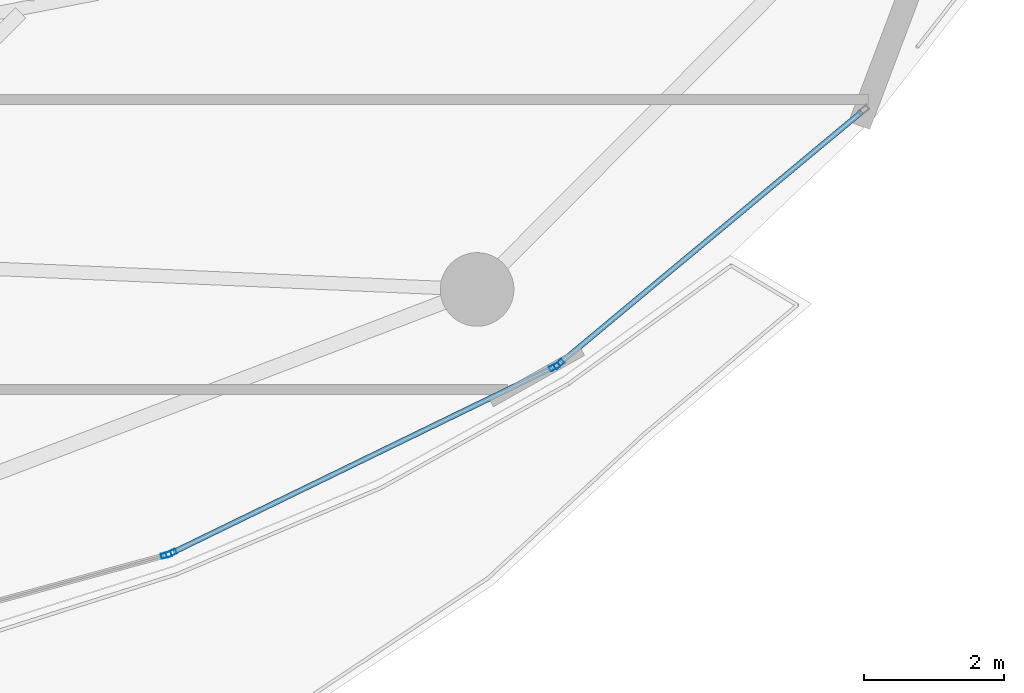
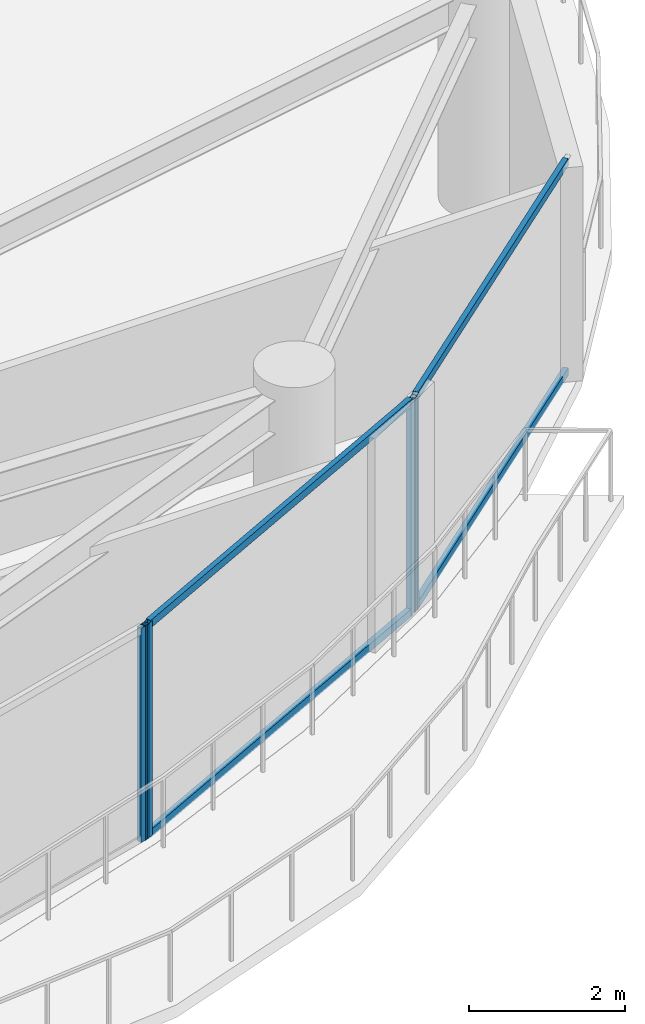
# One storey, part 12 of 28: 8 members, 3 elements without a shape of their own.
"""IFC4 building model written with IfcOpenShell, lengths in metres."""

from ifc_helpers import new_model, si_unit, direction, frame, origin, origin_2d, place, context, subcontext, project, spatial, hollow_rectangle, extrude, material, layer, layer_set, material_profile, profile_set, type_object, element, aggregate, save


model = new_model("IFC4")

# Units and contexts
model_context = context("Model", 3, precision=1e-05, world=origin(), true_north=direction((0.0, 1.0)))
body_context = subcontext(model_context, "Body", "Model", "MODEL_VIEW")
ifc_project = project(units=[si_unit("LENGTHUNIT", "METRE"), si_unit("AREAUNIT", "SQUARE_METRE"), si_unit("VOLUMEUNIT", "CUBIC_METRE"), si_unit("PLANEANGLEUNIT", "RADIAN"), si_unit("MASSUNIT", "GRAM", prefix="KILO")], contexts=[model_context])

# Site, building, storey
site_placement = place(None, origin())
site = spatial("IfcSite", under=ifc_project, at=site_placement, CompositionType="ELEMENT")
building_placement = place(site_placement, origin())
building = spatial("IfcBuilding", under=site, at=building_placement, Name="Kazevale Care Tower and Concert Hall", CompositionType="ELEMENT")
storey_placement = place(building_placement, frame((0.0, 0.0, 246.0)))
storey = spatial("IfcBuildingStorey", under=building, at=storey_placement, Name="L65", CompositionType="ELEMENT", Elevation=246.0)

# Curtain wall, member
ifc_material_1 = material(Name="Aluminium 6063-T6 and Low-E Glass", Category="aluminium")
ifc_layer = layer(ifc_material_1, 0.179931640625)
ifc_layer_set = layer_set([ifc_layer], Name="Aluminium 6063-T6 and Low-E Glass")
curtain_wall_type = type_object("IfcCurtainWallType", Name="Sheltered Concave Balcony Curtain Wall CW-5", PredefinedType="NOTDEFINED", material=ifc_layer_set)
curtain_wall_1_placement = place(storey_placement, origin())
curtain_wall_1 = element("IfcCurtainWall", 1, at=curtain_wall_1_placement, inside=storey, type_object=curtain_wall_type, Name="cw:L65:f02", PredefinedType="NOTDEFINED")
ifc_material_2 = material(Name="Aluminium 6063-T6", Category="aluminium")
ifc_material_profile_1 = material_profile(ifc_material_2, hollow_rectangle(XDim=0.074951171875, YDim=0.14990234375, WallThickness=0.00390625, at=origin_2d()), Name="ALU75x150x4")
ifc_profile_set_1 = profile_set([ifc_material_profile_1], Name="Aluminium 6063-T6")
member_type_1 = type_object("IfcMemberType", Name="CW-5 Mullion ALU75x150x4", PredefinedType="MULLION", material=ifc_profile_set_1)
member_1_placement = place(storey_placement, frame((67.417724609375, 21.5869140625, 0.0), z_axis=(0.0, 0.0, 1.0), x_axis=(0.639961217204, -0.768407210062, 0.0)))
member_1 = element("IfcMember", 2, at=member_1_placement, type_object=member_type_1, Name="CW-5 mullion 2", PredefinedType="MULLION", context=body_context, shape_type="SweptSolid", body=[
    extrude(hollow_rectangle(XDim=0.074951171875, YDim=0.14990234375, WallThickness=0.00390625, at=origin_2d()), origin(), (0.0, 0.0, 1.0), 3.360107421875),
])

# Curtain wall, members
curtain_wall_2_placement = place(storey_placement, origin())
curtain_wall_2 = element("IfcCurtainWall", 3, at=curtain_wall_2_placement, inside=storey, type_object=curtain_wall_type, Name="cw:L65:f03", PredefinedType="NOTDEFINED")
member_2_placement = place(storey_placement, frame((67.355224609375, 21.546630859375, 0.0), z_axis=(0.0, 0.0, 1.0), x_axis=(0.437238357087, -0.89934566163, 0.0)))
member_2 = element("IfcMember", 4, at=member_2_placement, type_object=member_type_1, Name="CW-5 mullion 1", PredefinedType="MULLION", context=body_context, shape_type="SweptSolid", body=[
    extrude(hollow_rectangle(XDim=0.074951171875, YDim=0.14990234375, WallThickness=0.00390625, at=origin_2d()), origin(), (0.0, 0.0, 1.0), 3.360107421875),
])
member_3_placement = place(storey_placement, frame((61.8896484375, 18.889404296875, 0.0), z_axis=(0.0, 0.0, 1.0), x_axis=(0.437238357087, -0.89934566163, 0.0)))
member_3 = element("IfcMember", 5, at=member_3_placement, type_object=member_type_1, Name="CW-5 mullion 2", PredefinedType="MULLION", context=body_context, shape_type="SweptSolid", body=[
    extrude(hollow_rectangle(XDim=0.074951171875, YDim=0.14990234375, WallThickness=0.00390625, at=origin_2d()), origin(), (0.0, 0.0, 1.0), 3.360107421875),
])

# Curtain wall, member
curtain_wall_3_placement = place(storey_placement, origin())
curtain_wall_3 = element("IfcCurtainWall", 6, at=curtain_wall_3_placement, inside=storey, type_object=curtain_wall_type, Name="cw:L65:f04", PredefinedType="NOTDEFINED")
member_4_placement = place(storey_placement, frame((61.81982421875, 18.863037109375, 0.0), z_axis=(0.0, 0.0, 1.0), x_axis=(0.262848968947, -0.964836991167, 0.0)))
member_4 = element("IfcMember", 7, at=member_4_placement, type_object=member_type_1, Name="CW-5 mullion 1", PredefinedType="MULLION", context=body_context, shape_type="SweptSolid", body=[
    extrude(hollow_rectangle(XDim=0.074951171875, YDim=0.14990234375, WallThickness=0.00390625, at=origin_2d()), origin(), (0.0, 0.0, 1.0), 3.360107421875),
])
aggregate(curtain_wall_3, [member_4])

# Member
ifc_material_profile_2 = material_profile(ifc_material_2, hollow_rectangle(XDim=0.074951171875, YDim=0.1201171875, WallThickness=0.00390625, at=origin_2d()), Name="ALU75x120x4")
ifc_profile_set_2 = profile_set([ifc_material_profile_2], Name="Aluminium 6063-T6")
member_type_2 = type_object("IfcMemberType", Name="CW-5 Transom ALU75x120x4", PredefinedType="USERDEFINED", material=ifc_profile_set_2)
member_5_placement = place(storey_placement, frame((71.734375, 25.181884765625, 0.03759765625), z_axis=(-0.768432829708, -0.639930454211, 0.0), x_axis=(0.639930454211, -0.768432829708, 0.0)))
member_5 = element("IfcMember", 8, at=member_5_placement, type_object=member_type_2, Name="CW-5 transom 1.1", ObjectType="TRANSOM", PredefinedType="USERDEFINED", context=body_context, shape_type="SweptSolid", body=[
    extrude(hollow_rectangle(XDim=0.074951171875, YDim=0.1201171875, WallThickness=0.00390625, at=origin_2d()), origin(), (0.0, 0.0, 1.0), 5.580078125),
])

member_6_placement = place(storey_placement, frame((71.734375, 25.181884765625, 3.322509765625), z_axis=(-0.768432829708, -0.639930454211, 0.0), x_axis=(0.639930454211, -0.768432829708, 0.0)))
member_6 = element("IfcMember", 9, at=member_6_placement, type_object=member_type_2, Name="CW-5 transom 1.2", ObjectType="TRANSOM", PredefinedType="USERDEFINED", context=body_context, shape_type="SweptSolid", body=[
    extrude(hollow_rectangle(XDim=0.074951171875, YDim=0.1201171875, WallThickness=0.00390625, at=origin_2d()), origin(), (0.0, 0.0, 1.0), 5.580078125),
])

aggregate(curtain_wall_1, [member_1, member_5, member_6])

member_7_placement = place(storey_placement, frame((67.321533203125, 21.5302734375, 0.03759765625), z_axis=(-0.899342308406, -0.437245254189, 0.0), x_axis=(0.437245254189, -0.899342308406, 0.0)))
member_7 = element("IfcMember", 10, at=member_7_placement, type_object=member_type_2, Name="CW-5 transom 1.1", ObjectType="TRANSOM", PredefinedType="USERDEFINED", context=body_context, shape_type="SweptSolid", body=[
    extrude(hollow_rectangle(XDim=0.074951171875, YDim=0.1201171875, WallThickness=0.00390625, at=origin_2d()), origin(), (0.0, 0.0, 1.0), 6.00244140625),
])

member_8_placement = place(storey_placement, frame((67.321533203125, 21.5302734375, 3.322509765625), z_axis=(-0.899342308406, -0.437245254189, 0.0), x_axis=(0.437245254189, -0.899342308406, 0.0)))
member_8 = element("IfcMember", 11, at=member_8_placement, type_object=member_type_2, Name="CW-5 transom 1.2", ObjectType="TRANSOM", PredefinedType="USERDEFINED", context=body_context, shape_type="SweptSolid", body=[
    extrude(hollow_rectangle(XDim=0.074951171875, YDim=0.1201171875, WallThickness=0.00390625, at=origin_2d()), origin(), (0.0, 0.0, 1.0), 6.00244140625),
])

aggregate(curtain_wall_2, [member_2, member_3, member_7, member_8])

save(model, "model.ifc")
